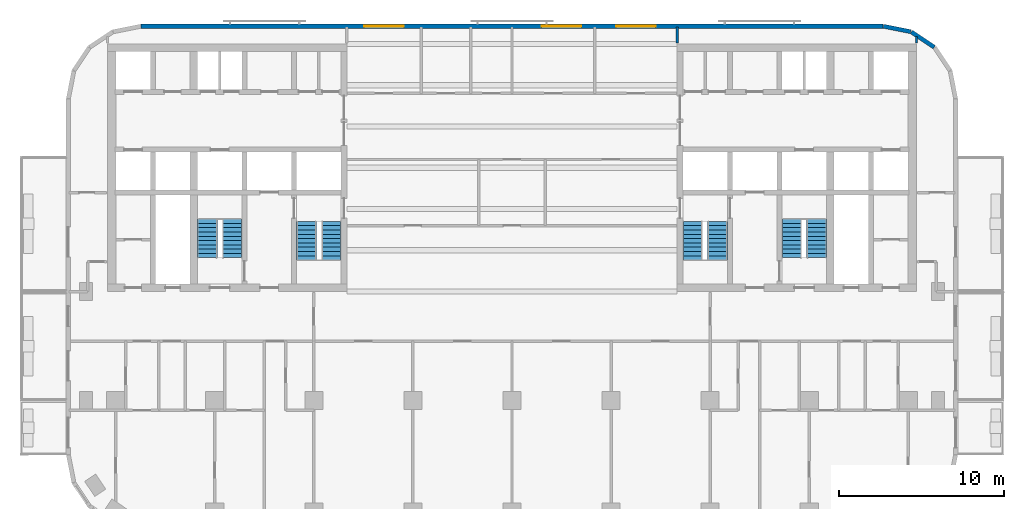
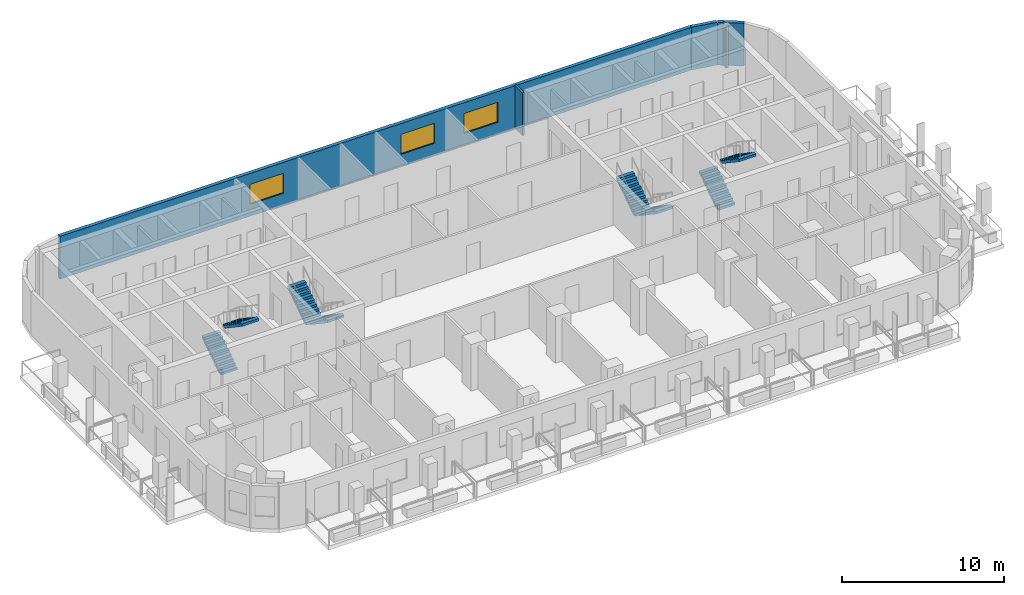
# One storey, part 8 of 12: 8 stair flights, 5 walls, 3 windows, 3 openings, 4 elements without a shape of their own.
"""IFC4 building model written with IfcOpenShell, lengths in metres."""

from ifc_helpers import new_model, si_unit, direction, frame, frame_2d, origin, place, context, subcontext, project, spatial, polyline, rectangle, outline, extrude, material, layer, layer_set, type_object, element, fill, aggregate, save


model = new_model("IFC4")

# Units and contexts
model_context = context("Model", 3, precision=1e-05, world=origin(), true_north=direction((0.0, 1.0)))
body_context = subcontext(model_context, "Body", "Model", "MODEL_VIEW")
ifc_project = project(units=[si_unit("LENGTHUNIT", "METRE"), si_unit("AREAUNIT", "SQUARE_METRE"), si_unit("VOLUMEUNIT", "CUBIC_METRE"), si_unit("PLANEANGLEUNIT", "RADIAN"), si_unit("MASSUNIT", "GRAM", prefix="KILO")], contexts=[model_context])

# Site, building, storey
site_placement = place(None, origin())
site = spatial("IfcSite", under=ifc_project, at=site_placement, CompositionType="ELEMENT")
building_placement = place(site_placement, origin())
building = spatial("IfcBuilding", under=site, at=building_placement, Name="Torana Hotel and Residences", CompositionType="ELEMENT")
storey_placement = place(building_placement, frame((0.0, 0.0, 197.60009765625)))
storey = spatial("IfcBuildingStorey", under=building, at=storey_placement, Name="L51", CompositionType="ELEMENT", Elevation=197.60009765625)

# Walls
ifc_material_1 = material(Name="Black aluminium composite panel", Category="aluminium")
ifc_layer_1 = layer(ifc_material_1, 0.00390625, Name="Cladding", Category="cladding")
ifc_material_2 = material(Name="Ventilated air cavity")
ifc_layer_2 = layer(ifc_material_2, 0.0400390625, Name="Ventilated cavity", Category="cavity")
ifc_material_3 = material(Name="Mineral wool insulation")
ifc_layer_3 = layer(ifc_material_3, 0.090087890625, Name="Insulation", Category="insulation")
ifc_material_4 = material(Name="Steel S280GD", Category="steel")
ifc_layer_4 = layer(ifc_material_4, 0.092041015625, Name="Steel stud frame", Category="structure")
ifc_material_5 = material(Name="Fire rated plasterboard")
ifc_layer_5 = layer(ifc_material_5, 0.011962890625, Name="Inner board", Category="finish")
ifc_layer_6 = layer(ifc_material_5, 0.011962890625, Name="Second board", Category="finish")
ifc_layer_set_1 = layer_set([ifc_layer_1, ifc_layer_2, ifc_layer_3, ifc_layer_4, ifc_layer_5, ifc_layer_6], Name="EW1 EXTERNAL WALL BLACK METAL CLAD 250")
wall_type_1 = type_object("IfcWallType", Name="EW1 EXTERNAL WALL BLACK METAL CLAD 250", PredefinedType="SOLIDWALL", material=ifc_layer_set_1)
wall_1_placement = place(storey_placement, frame((25.5712890625, -0.1943359375, 0.0), z_axis=(0.0, 0.0, 1.0), x_axis=(-0.831482937015, 0.55555029066, 0.0)))
element("IfcWall", 1, at=wall_1_placement, inside=storey, type_object=wall_type_1, Name="External wall L51 e0.2", PredefinedType="SOLIDWALL", context=body_context, shape_type="SweptSolid", body=[
    extrude(rectangle(XDim=1.65625, YDim=0.25, at=frame_2d((0.828125, 0.0))), origin(), (0.0, 0.0, 1.0), 3.219970703125),
])
wall_2_placement = place(storey_placement, frame((24.14892578125, 0.74462890625, 0.0), z_axis=(0.0, 0.0, 1.0), x_axis=(-0.980803419081, 0.194999110559, 0.0)))
element("IfcWall", 2, at=wall_2_placement, inside=storey, type_object=wall_type_1, Name="External wall L51 e0.3", PredefinedType="SOLIDWALL", context=body_context, shape_type="SweptSolid", body=[
    extrude(rectangle(XDim=1.681396484375, YDim=0.25, at=frame_2d((0.8408203125, 0.0))), origin(), (0.0, 0.0, 1.0), 3.219970703125),
])

# Wall, openings, windows
ifc_material_6 = material(Name="Concrete C40/50 precast", Category="concrete")
ifc_layer_7 = layer(ifc_material_6, 0.10009765625, Name="Perforated block", Category="cladding")
ifc_material_7 = material(Name="Air cavity")
ifc_layer_8 = layer(ifc_material_7, 0.030029296875, Name="Cavity", Category="cavity")
ifc_material_8 = material(Name="Concrete C40/50", Category="concrete")
ifc_layer_9 = layer(ifc_material_8, 0.10009765625, Name="Wall", Category="structure")
ifc_material_9 = material(Name="Plaster and paint")
ifc_layer_10 = layer(ifc_material_9, 0.02001953125, Name="Inner finish", Category="finish")
ifc_layer_set_2 = layer_set([ifc_layer_7, ifc_layer_8, ifc_layer_9, ifc_layer_10], Name="EW2 PERFORATED BLOCK SCREEN WALL 250")
wall_type_2 = type_object("IfcWallType", Name="EW2 PERFORATED BLOCK SCREEN WALL 250", PredefinedType="SOLIDWALL", material=ifc_layer_set_2)
wall_3_placement = place(storey_placement, frame((22.475341796875, 1.074951171875, 0.0), z_axis=(0.0, 0.0, 1.0), x_axis=(-1.0, 0.0, 0.0)))
wall_3 = element("IfcWall", 3, at=wall_3_placement, inside=storey, type_object=wall_type_2, Name="External wall L51 e0.4", PredefinedType="SOLIDWALL", context=body_context, shape_type="SweptSolid", body=[
    extrude(rectangle(XDim=44.95068359375, YDim=0.25, at=frame_2d((22.475341796875, 0.0))), origin(), (0.0, 0.0, 1.0), 3.219970703125),
])
opening_1_placement = place(wall_3_placement, frame((13.775390625, 0.0, 0.89990234375)))
opening_1 = element("IfcOpeningElement", 4, at=opening_1_placement, cuts=wall_3, Name="Opening W3", PredefinedType="OPENING", context=body_context, shape_type="SweptSolid", body=[
    extrude(rectangle(XDim=2.39990234375, YDim=1.5, at=frame_2d((1.199951171875, 0.75))), frame((0.0, 0.135009765625, 0.0), z_axis=(0.0, -1.0, 0.0), x_axis=(1.0, 0.0, 0.0)), (0.0, 0.0, 1.0), 0.27001953125),
])
opening_2_placement = place(wall_3_placement, frame((18.275390625, 0.0, 0.89990234375)))
opening_2 = element("IfcOpeningElement", 5, at=opening_2_placement, cuts=wall_3, Name="Opening W3", PredefinedType="OPENING", context=body_context, shape_type="SweptSolid", body=[
    extrude(rectangle(XDim=2.39990234375, YDim=1.5, at=frame_2d((1.199951171875, 0.75))), frame((0.0, 0.135009765625, 0.0), z_axis=(0.0, -1.0, 0.0), x_axis=(1.0, 0.0, 0.0)), (0.0, 0.0, 1.0), 0.27001953125),
])
opening_3_placement = place(wall_3_placement, frame((29.025390625, 0.0, 0.89990234375)))
opening_3 = element("IfcOpeningElement", 6, at=opening_3_placement, cuts=wall_3, Name="Opening W3", PredefinedType="OPENING", context=body_context, shape_type="SweptSolid", body=[
    extrude(rectangle(XDim=2.39990234375, YDim=1.5, at=frame_2d((1.199951171875, 0.75))), frame((0.0, 0.135009765625, 0.0), z_axis=(0.0, -1.0, 0.0), x_axis=(1.0, 0.0, 0.0)), (0.0, 0.0, 1.0), 0.27001953125),
])
ifc_material_10 = material(Name="Dark glass in black aluminium frame", Category="aluminium")
window_type = type_object("IfcWindowType", Name="W3 RESIDENCE WINDOW 2400x1500", PartitioningType="SINGLE_PANEL", PredefinedType="WINDOW", material=ifc_material_10)
window_1_placement = place(opening_1_placement, origin())
window_1 = element("IfcWindow", 7, at=window_1_placement, inside=storey, type_object=window_type, Name="Window L51", OverallHeight=1.5, OverallWidth=2.39990234375, PartitioningType="SINGLE_PANEL", PredefinedType="WINDOW", context=body_context, shape_type="SweptSolid", body=[
    extrude(rectangle(XDim=2.39990234375, YDim=1.5, at=frame_2d((1.199951171875, 0.75))), frame((0.0, 0.030029296875, 0.0), z_axis=(0.0, -1.0, 0.0), x_axis=(1.0, 0.0, 0.0)), (0.0, 0.0, 1.0), 0.06005859375),
])
fill(opening_1, window_1)
window_2_placement = place(opening_2_placement, origin())
window_2 = element("IfcWindow", 8, at=window_2_placement, inside=storey, type_object=window_type, Name="Window L51", OverallHeight=1.5, OverallWidth=2.39990234375, PartitioningType="SINGLE_PANEL", PredefinedType="WINDOW", context=body_context, shape_type="SweptSolid", body=[
    extrude(rectangle(XDim=2.39990234375, YDim=1.5, at=frame_2d((1.199951171875, 0.75))), frame((0.0, 0.030029296875, 0.0), z_axis=(0.0, -1.0, 0.0), x_axis=(1.0, 0.0, 0.0)), (0.0, 0.0, 1.0), 0.06005859375),
])
fill(opening_2, window_2)
window_3_placement = place(opening_3_placement, origin())
window_3 = element("IfcWindow", 9, at=window_3_placement, inside=storey, type_object=window_type, Name="Window L51", OverallHeight=1.5, OverallWidth=2.39990234375, PartitioningType="SINGLE_PANEL", PredefinedType="WINDOW", context=body_context, shape_type="SweptSolid", body=[
    extrude(rectangle(XDim=2.39990234375, YDim=1.5, at=frame_2d((1.199951171875, 0.75))), frame((0.0, 0.030029296875, 0.0), z_axis=(0.0, -1.0, 0.0), x_axis=(1.0, 0.0, 0.0)), (0.0, 0.0, 1.0), 0.06005859375),
])
fill(opening_3, window_3)

# Walls
ifc_material_11 = material(Name="Gypsum plasterboard")
ifc_layer_11 = layer(ifc_material_11, 0.012451171875, Name="Plasterboard", Category="finish")
ifc_layer_12 = layer(ifc_material_11, 0.012451171875, Name="Plasterboard", Category="finish")
ifc_layer_13 = layer(ifc_material_4, 0.10009765625, Name="Steel studs with mineral wool", Category="insulation")
ifc_layer_14 = layer(ifc_material_11, 0.012451171875, Name="Plasterboard", Category="finish")
ifc_layer_15 = layer(ifc_material_11, 0.012451171875, Name="Plasterboard", Category="finish")
ifc_layer_set_3 = layer_set([ifc_layer_11, ifc_layer_12, ifc_layer_13, ifc_layer_14, ifc_layer_15], Name="PARTITION 150 PLASTERBOARD")
wall_type_3 = type_object("IfcWallType", Name="PARTITION 150 PLASTERBOARD", PredefinedType="PARTITIONING", material=ifc_layer_set_3)
wall_4_placement = place(storey_placement, frame((24.5, 0.050048828125, 0.0), z_axis=(0.0, 0.0, 1.0), x_axis=(0.0, 1.0, 0.0)))
element("IfcWall", 10, at=wall_4_placement, inside=storey, type_object=wall_type_3, Name="Partition L51", PredefinedType="PARTITIONING", context=body_context, shape_type="SweptSolid", body=[
    extrude(rectangle(XDim=0.4052734375, YDim=0.14990234375, at=frame_2d((0.20263671875, 0.0))), origin(), (0.0, 0.0, 1.0), 3.219970703125),
])
wall_5_placement = place(storey_placement, frame((10.0, 0.050048828125, 0.0), z_axis=(0.0, 0.0, 1.0), x_axis=(0.0, 1.0, 0.0)))
element("IfcWall", 11, at=wall_5_placement, inside=storey, type_object=wall_type_3, Name="Partition L51", PredefinedType="PARTITIONING", context=body_context, shape_type="SweptSolid", body=[
    extrude(rectangle(XDim=0.969970703125, YDim=0.14990234375, at=frame_2d((0.48486328125, 0.0))), origin(), (0.0, 0.0, 1.0), 3.219970703125),
])

# Stair, stair flights
ifc_material_12 = material(Name="Concrete C40/50 precast", Category="concrete")
stair_type_1 = type_object("IfcStairType", Name="STAIR ST1 HALF TURN 1200", PredefinedType="HALF_TURN_STAIR", material=ifc_material_12)
stair_1_placement = place(storey_placement, origin())
stair_1 = element("IfcStair", 12, at=stair_1_placement, inside=storey, type_object=stair_type_1, Name="Stair ST1 L51", PredefinedType="HALF_TURN_STAIR")
ifc_material_13 = material(Name="Concrete C40/50 precast", Category="concrete")
stair_flight_type = type_object("IfcStairFlightType", Name="STAIR FLIGHT 1200 PRECAST", PredefinedType="STRAIGHT", material=ifc_material_13)
stair_flight_1_placement = place(storey_placement, frame((-10.949951171875, -10.75, 0.0), z_axis=(0.0, 0.0, 1.0), x_axis=(0.0, -1.0, 0.0)))
stair_flight_1 = element("IfcStairFlight", 13, at=stair_flight_1_placement, type_object=stair_flight_type, Name="ST1 flight 1", NumberOfRisers=10, NumberOfTreads=9, PredefinedType="STRAIGHT", RiserHeight=0.175, TreadLength=0.26, context=body_context, shape_type="SweptSolid", body=[
    extrude(outline(polyline([(0.0, 0.0), (0.0, 0.175048828125), (0.260009765625, 0.175048828125), (0.260009765625, 0.35009765625), (0.52001953125, 0.35009765625), (0.52001953125, 0.52490234375), (0.780029296875, 0.52490234375), (0.780029296875, 0.699951171875), (1.0400390625, 0.699951171875), (1.0400390625, 0.875), (1.300048828125, 0.875), (1.300048828125, 1.050048828125), (1.56005859375, 1.050048828125), (1.56005859375, 1.22509765625), (1.820068359375, 1.22509765625), (1.820068359375, 1.39990234375), (2.080078125, 1.39990234375), (2.080078125, 1.574951171875), (2.340087890625, 1.574951171875), (2.340087890625, 1.75), (2.340087890625, 1.394287109375), (0.2685546875, 0.0), (0.0, 0.0)])), frame((0.0, 0.60009765625, 0.0), z_axis=(0.0, -1.0, 0.0), x_axis=(1.0, 0.0, 0.0)), (0.0, 0.0, 1.0), 1.199951171875),
])
stair_flight_2_placement = place(storey_placement, frame((-12.449951171875, -13.090087890625, 1.75), z_axis=(0.0, 0.0, 1.0), x_axis=(0.0, 1.0, 0.0)))
stair_flight_2 = element("IfcStairFlight", 14, at=stair_flight_2_placement, type_object=stair_flight_type, Name="ST1 flight 2", NumberOfRisers=10, NumberOfTreads=9, PredefinedType="STRAIGHT", RiserHeight=0.175, TreadLength=0.26, context=body_context, shape_type="SweptSolid", body=[
    extrude(outline(polyline([(0.0, 0.0), (0.0, 0.175048828125), (0.260009765625, 0.175048828125), (0.260009765625, 0.35009765625), (0.52001953125, 0.35009765625), (0.52001953125, 0.52490234375), (0.780029296875, 0.52490234375), (0.780029296875, 0.699951171875), (1.0400390625, 0.699951171875), (1.0400390625, 0.875), (1.300048828125, 0.875), (1.300048828125, 1.050048828125), (1.56005859375, 1.050048828125), (1.56005859375, 1.22509765625), (1.820068359375, 1.22509765625), (1.820068359375, 1.39990234375), (2.080078125, 1.39990234375), (2.080078125, 1.574951171875), (2.340087890625, 1.574951171875), (2.340087890625, 1.75), (2.340087890625, 1.394287109375), (0.2685546875, 0.0), (0.0, 0.0)])), frame((0.0, 0.60009765625, 0.0), z_axis=(0.0, -1.0, 0.0), x_axis=(1.0, 0.0, 0.0)), (0.0, 0.0, 1.0), 1.199951171875),
])
aggregate(stair_1, [stair_flight_1, stair_flight_2])

ifc_material_14 = material(Name="Concrete C40/50 precast", Category="concrete")
stair_type_2 = type_object("IfcStairType", Name="STAIR ST2 HALF TURN 1200", PredefinedType="HALF_TURN_STAIR", material=ifc_material_14)
stair_2_placement = place(storey_placement, origin())
stair_2 = element("IfcStair", 15, at=stair_2_placement, inside=storey, type_object=stair_type_2, Name="Stair ST2 L51", PredefinedType="HALF_TURN_STAIR")
stair_flight_3_placement = place(storey_placement, frame((-18.449951171875, -12.949951171875, 0.0), z_axis=(0.0, 0.0, 1.0), x_axis=(0.0, 1.0, 0.0)))
stair_flight_3 = element("IfcStairFlight", 16, at=stair_flight_3_placement, type_object=stair_flight_type, Name="ST2 flight 1", NumberOfRisers=10, NumberOfTreads=9, PredefinedType="STRAIGHT", RiserHeight=0.175, TreadLength=0.26, context=body_context, shape_type="SweptSolid", body=[
    extrude(outline(polyline([(0.0, 0.0), (0.0, 0.175048828125), (0.260009765625, 0.175048828125), (0.260009765625, 0.35009765625), (0.52001953125, 0.35009765625), (0.52001953125, 0.52490234375), (0.780029296875, 0.52490234375), (0.780029296875, 0.699951171875), (1.0400390625, 0.699951171875), (1.0400390625, 0.875), (1.300048828125, 0.875), (1.300048828125, 1.050048828125), (1.56005859375, 1.050048828125), (1.56005859375, 1.22509765625), (1.820068359375, 1.22509765625), (1.820068359375, 1.39990234375), (2.080078125, 1.39990234375), (2.080078125, 1.574951171875), (2.340087890625, 1.574951171875), (2.340087890625, 1.75), (2.340087890625, 1.394287109375), (0.2685546875, 0.0), (0.0, 0.0)])), frame((0.0, 0.60009765625, 0.0), z_axis=(0.0, -1.0, 0.0), x_axis=(1.0, 0.0, 0.0)), (0.0, 0.0, 1.0), 1.199951171875),
])
stair_flight_4_placement = place(storey_placement, frame((-16.949951171875, -10.610107421875, 1.75), z_axis=(0.0, 0.0, 1.0), x_axis=(0.0, -1.0, 0.0)))
stair_flight_4 = element("IfcStairFlight", 17, at=stair_flight_4_placement, type_object=stair_flight_type, Name="ST2 flight 2", NumberOfRisers=10, NumberOfTreads=9, PredefinedType="STRAIGHT", RiserHeight=0.175, TreadLength=0.26, context=body_context, shape_type="SweptSolid", body=[
    extrude(outline(polyline([(0.0, 0.0), (0.0, 0.175048828125), (0.260009765625, 0.175048828125), (0.260009765625, 0.35009765625), (0.52001953125, 0.35009765625), (0.52001953125, 0.52490234375), (0.780029296875, 0.52490234375), (0.780029296875, 0.699951171875), (1.0400390625, 0.699951171875), (1.0400390625, 0.875), (1.300048828125, 0.875), (1.300048828125, 1.050048828125), (1.56005859375, 1.050048828125), (1.56005859375, 1.22509765625), (1.820068359375, 1.22509765625), (1.820068359375, 1.39990234375), (2.080078125, 1.39990234375), (2.080078125, 1.574951171875), (2.340087890625, 1.574951171875), (2.340087890625, 1.75), (2.340087890625, 1.394287109375), (0.2685546875, 0.0), (0.0, 0.0)])), frame((0.0, 0.60009765625, 0.0), z_axis=(0.0, -1.0, 0.0), x_axis=(1.0, 0.0, 0.0)), (0.0, 0.0, 1.0), 1.199951171875),
])
aggregate(stair_2, [stair_flight_3, stair_flight_4])

ifc_material_15 = material(Name="Concrete C40/50 precast", Category="concrete")
stair_type_3 = type_object("IfcStairType", Name="STAIR ST3 HALF TURN 1200", PredefinedType="HALF_TURN_STAIR", material=ifc_material_15)
stair_3_placement = place(storey_placement, origin())
stair_3 = element("IfcStair", 18, at=stair_3_placement, inside=storey, type_object=stair_type_3, Name="Stair ST3 L51", PredefinedType="HALF_TURN_STAIR")
stair_flight_5_placement = place(storey_placement, frame((12.449951171875, -10.75, 0.0), z_axis=(0.0, 0.0, 1.0), x_axis=(0.0, -1.0, 0.0)))
stair_flight_5 = element("IfcStairFlight", 19, at=stair_flight_5_placement, type_object=stair_flight_type, Name="ST3 flight 1", NumberOfRisers=10, NumberOfTreads=9, PredefinedType="STRAIGHT", RiserHeight=0.175, TreadLength=0.26, context=body_context, shape_type="SweptSolid", body=[
    extrude(outline(polyline([(0.0, 0.0), (0.0, 0.175048828125), (0.260009765625, 0.175048828125), (0.260009765625, 0.35009765625), (0.52001953125, 0.35009765625), (0.52001953125, 0.52490234375), (0.780029296875, 0.52490234375), (0.780029296875, 0.699951171875), (1.0400390625, 0.699951171875), (1.0400390625, 0.875), (1.300048828125, 0.875), (1.300048828125, 1.050048828125), (1.56005859375, 1.050048828125), (1.56005859375, 1.22509765625), (1.820068359375, 1.22509765625), (1.820068359375, 1.39990234375), (2.080078125, 1.39990234375), (2.080078125, 1.574951171875), (2.340087890625, 1.574951171875), (2.340087890625, 1.75), (2.340087890625, 1.394287109375), (0.2685546875, 0.0), (0.0, 0.0)])), frame((0.0, 0.60009765625, 0.0), z_axis=(0.0, -1.0, 0.0), x_axis=(1.0, 0.0, 0.0)), (0.0, 0.0, 1.0), 1.199951171875),
])
stair_flight_6_placement = place(storey_placement, frame((10.949951171875, -13.090087890625, 1.75), z_axis=(0.0, 0.0, 1.0), x_axis=(0.0, 1.0, 0.0)))
stair_flight_6 = element("IfcStairFlight", 20, at=stair_flight_6_placement, type_object=stair_flight_type, Name="ST3 flight 2", NumberOfRisers=10, NumberOfTreads=9, PredefinedType="STRAIGHT", RiserHeight=0.175, TreadLength=0.26, context=body_context, shape_type="SweptSolid", body=[
    extrude(outline(polyline([(0.0, 0.0), (0.0, 0.175048828125), (0.260009765625, 0.175048828125), (0.260009765625, 0.35009765625), (0.52001953125, 0.35009765625), (0.52001953125, 0.52490234375), (0.780029296875, 0.52490234375), (0.780029296875, 0.699951171875), (1.0400390625, 0.699951171875), (1.0400390625, 0.875), (1.300048828125, 0.875), (1.300048828125, 1.050048828125), (1.56005859375, 1.050048828125), (1.56005859375, 1.22509765625), (1.820068359375, 1.22509765625), (1.820068359375, 1.39990234375), (2.080078125, 1.39990234375), (2.080078125, 1.574951171875), (2.340087890625, 1.574951171875), (2.340087890625, 1.75), (2.340087890625, 1.394287109375), (0.2685546875, 0.0), (0.0, 0.0)])), frame((0.0, 0.60009765625, 0.0), z_axis=(0.0, -1.0, 0.0), x_axis=(1.0, 0.0, 0.0)), (0.0, 0.0, 1.0), 1.199951171875),
])
aggregate(stair_3, [stair_flight_5, stair_flight_6])

ifc_material_16 = material(Name="Concrete C40/50 precast", Category="concrete")
stair_type_4 = type_object("IfcStairType", Name="STAIR ST4 HALF TURN 1200", PredefinedType="HALF_TURN_STAIR", material=ifc_material_16)
stair_4_placement = place(storey_placement, origin())
stair_4 = element("IfcStair", 21, at=stair_4_placement, inside=storey, type_object=stair_type_4, Name="Stair ST4 L51", PredefinedType="HALF_TURN_STAIR")
stair_flight_7_placement = place(storey_placement, frame((16.949951171875, -12.949951171875, 0.0), z_axis=(0.0, 0.0, 1.0), x_axis=(0.0, 1.0, 0.0)))
stair_flight_7 = element("IfcStairFlight", 22, at=stair_flight_7_placement, type_object=stair_flight_type, Name="ST4 flight 1", NumberOfRisers=10, NumberOfTreads=9, PredefinedType="STRAIGHT", RiserHeight=0.175, TreadLength=0.26, context=body_context, shape_type="SweptSolid", body=[
    extrude(outline(polyline([(0.0, 0.0), (0.0, 0.175048828125), (0.260009765625, 0.175048828125), (0.260009765625, 0.35009765625), (0.52001953125, 0.35009765625), (0.52001953125, 0.52490234375), (0.780029296875, 0.52490234375), (0.780029296875, 0.699951171875), (1.0400390625, 0.699951171875), (1.0400390625, 0.875), (1.300048828125, 0.875), (1.300048828125, 1.050048828125), (1.56005859375, 1.050048828125), (1.56005859375, 1.22509765625), (1.820068359375, 1.22509765625), (1.820068359375, 1.39990234375), (2.080078125, 1.39990234375), (2.080078125, 1.574951171875), (2.340087890625, 1.574951171875), (2.340087890625, 1.75), (2.340087890625, 1.394287109375), (0.2685546875, 0.0), (0.0, 0.0)])), frame((0.0, 0.60009765625, 0.0), z_axis=(0.0, -1.0, 0.0), x_axis=(1.0, 0.0, 0.0)), (0.0, 0.0, 1.0), 1.199951171875),
])
stair_flight_8_placement = place(storey_placement, frame((18.449951171875, -10.610107421875, 1.75), z_axis=(0.0, 0.0, 1.0), x_axis=(0.0, -1.0, 0.0)))
stair_flight_8 = element("IfcStairFlight", 23, at=stair_flight_8_placement, type_object=stair_flight_type, Name="ST4 flight 2", NumberOfRisers=10, NumberOfTreads=9, PredefinedType="STRAIGHT", RiserHeight=0.175, TreadLength=0.26, context=body_context, shape_type="SweptSolid", body=[
    extrude(outline(polyline([(0.0, 0.0), (0.0, 0.175048828125), (0.260009765625, 0.175048828125), (0.260009765625, 0.35009765625), (0.52001953125, 0.35009765625), (0.52001953125, 0.52490234375), (0.780029296875, 0.52490234375), (0.780029296875, 0.699951171875), (1.0400390625, 0.699951171875), (1.0400390625, 0.875), (1.300048828125, 0.875), (1.300048828125, 1.050048828125), (1.56005859375, 1.050048828125), (1.56005859375, 1.22509765625), (1.820068359375, 1.22509765625), (1.820068359375, 1.39990234375), (2.080078125, 1.39990234375), (2.080078125, 1.574951171875), (2.340087890625, 1.574951171875), (2.340087890625, 1.75), (2.340087890625, 1.394287109375), (0.2685546875, 0.0), (0.0, 0.0)])), frame((0.0, 0.60009765625, 0.0), z_axis=(0.0, -1.0, 0.0), x_axis=(1.0, 0.0, 0.0)), (0.0, 0.0, 1.0), 1.199951171875),
])
aggregate(stair_4, [stair_flight_7, stair_flight_8])

save(model, "model.ifc")
